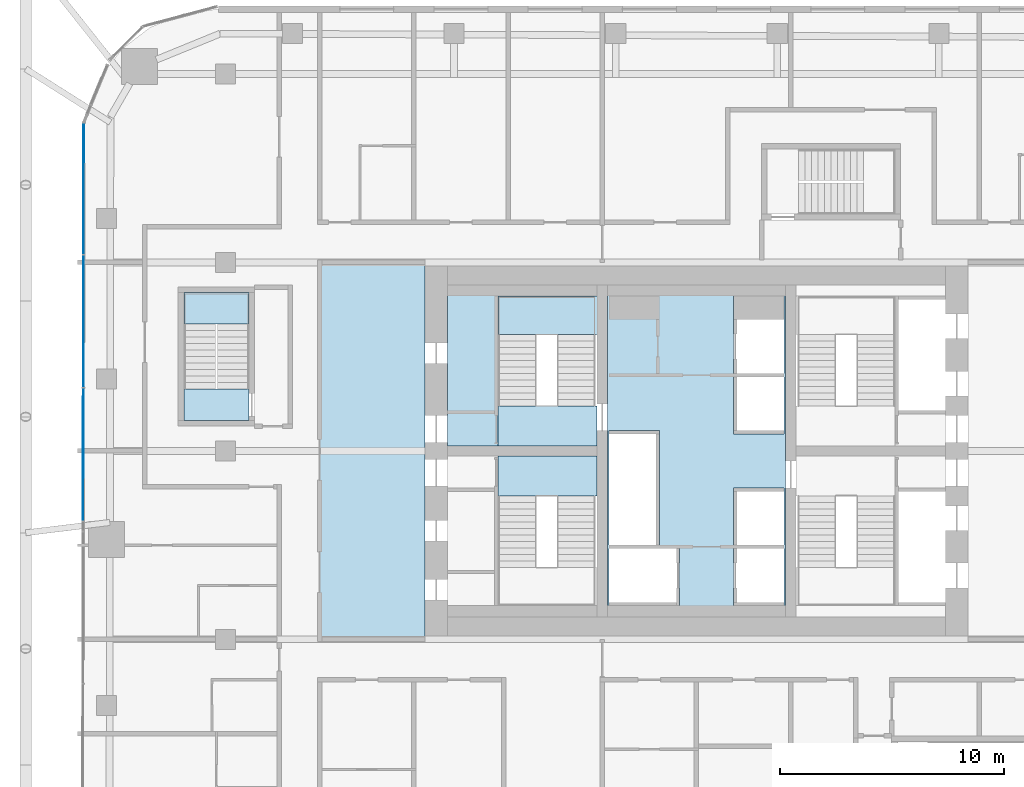
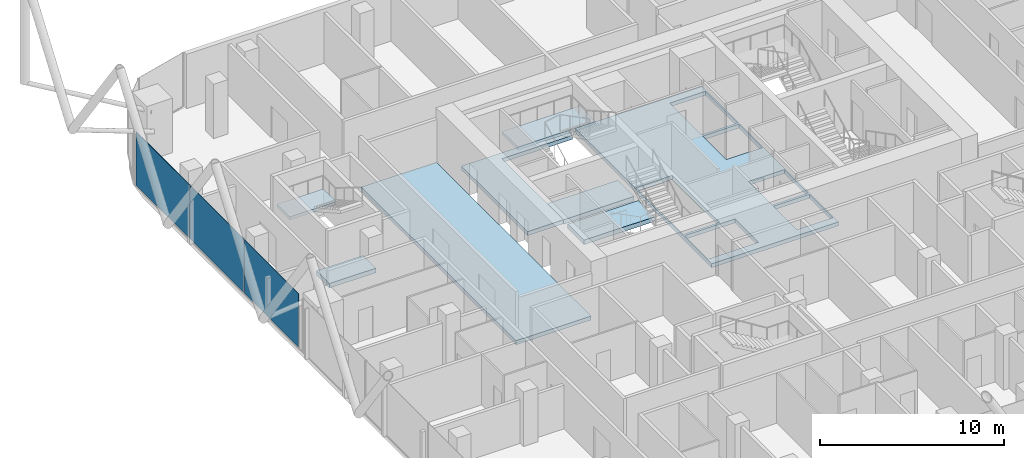
# One storey, part 24 of 36: 8 slabs, 3 plates, 3 elements without a shape of their own.
"""IFC4 building model written with IfcOpenShell, lengths in metres."""

from ifc_helpers import new_model, si_unit, direction, frame, origin, origin_2d, place, context, subcontext, project, spatial, polyline, rectangle, outline, extrude, material, layer, layer_set, type_object, element, aggregate, save


model = new_model("IFC4")

# Units and contexts
model_context = context("Model", 3, precision=1e-05, world=origin(), true_north=direction((0.0, 1.0)))
body_context = subcontext(model_context, "Body", "Model", "MODEL_VIEW")
ifc_project = project(units=[si_unit("LENGTHUNIT", "METRE"), si_unit("AREAUNIT", "SQUARE_METRE"), si_unit("VOLUMEUNIT", "CUBIC_METRE"), si_unit("PLANEANGLEUNIT", "RADIAN"), si_unit("MASSUNIT", "GRAM", prefix="KILO")], contexts=[model_context])

# Site, building, storey
site_placement = place(None, origin())
site = spatial("IfcSite", under=ifc_project, at=site_placement, CompositionType="ELEMENT")
building_placement = place(site_placement, origin())
building = spatial("IfcBuilding", under=site, at=building_placement, Name="Marenta Gate Hotel Tower", CompositionType="ELEMENT")
storey_placement = place(building_placement, frame((0.0, 0.0, 158.89990234375)))
storey = spatial("IfcBuildingStorey", under=building, at=storey_placement, Name="L37", CompositionType="ELEMENT", Elevation=158.89990234375)

# Slabs
ifc_material_1 = material(Name="Concrete C40", Category="concrete")
ifc_layer_1 = layer(ifc_material_1, 0.260009765625)
ifc_layer_set_1 = layer_set([ifc_layer_1], Name="Concrete C40")
slab_type_1 = type_object("IfcSlabType", Name="Core floor slab 260", PredefinedType="FLOOR", material=ifc_layer_set_1)
slab_1_placement = place(storey_placement, frame((0.0, 0.0, -0.260009765625)))
element("IfcSlab", 1, at=slab_1_placement, inside=storey, type_object=slab_type_1, Name="L37-CF-4", PredefinedType="FLOOR", context=body_context, shape_type="SweptSolid", body=[
    extrude(outline(polyline([(3.97509765625, 15.300048828125), (3.97509765625, 10.39990234375), (3.97509765625, 6.39990234375), (3.97509765625, 1.5), (3.97509765625, 1.0), (-3.97509765625, 1.0), (-3.97509765625, 1.5), (-3.97509765625, 6.39990234375), (-3.97509765625, 10.39990234375), (-3.97509765625, 15.300048828125), (-3.97509765625, 15.800048828125), (3.97509765625, 15.800048828125), (3.97509765625, 15.300048828125)]), holes=[polyline([(1.64990234375, 1.5), (3.89990234375, 1.5), (3.89990234375, 1.64990234375), (3.89990234375, 4.050048828125), (1.800048828125, 4.050048828125), (1.64990234375, 4.050048828125), (1.64990234375, 1.64990234375), (1.64990234375, 1.5)]), polyline([(1.64990234375, 6.60009765625), (1.64990234375, 4.199951171875), (1.800048828125, 4.199951171875), (3.89990234375, 4.199951171875), (3.89990234375, 6.60009765625), (3.89990234375, 6.75), (1.64990234375, 6.75), (1.64990234375, 6.60009765625)]), polyline([(1.64990234375, 9.14990234375), (3.89990234375, 9.14990234375), (3.89990234375, 9.300048828125), (3.89990234375, 11.699951171875), (1.800048828125, 11.699951171875), (1.64990234375, 11.699951171875), (1.64990234375, 9.300048828125), (1.64990234375, 9.14990234375)]), polyline([(1.64990234375, 15.300048828125), (1.64990234375, 14.25), (1.64990234375, 11.85009765625), (1.800048828125, 11.85009765625), (3.89990234375, 11.85009765625), (3.89990234375, 14.25), (3.89990234375, 15.300048828125), (1.64990234375, 15.300048828125)]), polyline([(-3.89990234375, 4.050048828125), (-3.89990234375, 1.64990234375), (-3.89990234375, 1.5), (-0.89990234375, 1.5), (-0.75, 1.5), (-0.75, 4.050048828125), (-0.89990234375, 4.050048828125), (-3.89990234375, 4.050048828125)]), polyline([(-1.800048828125, 4.199951171875), (-1.64990234375, 4.199951171875), (-1.64990234375, 9.14990234375), (-1.64990234375, 9.300048828125), (-3.89990234375, 9.300048828125), (-3.89990234375, 9.14990234375), (-3.89990234375, 6.75), (-3.89990234375, 6.60009765625), (-3.89990234375, 4.199951171875), (-1.800048828125, 4.199951171875)])]), origin(), (0.0, 0.0, 1.0), 0.260009765625),
])
slab_2_placement = place(storey_placement, frame((0.0, 0.0, -0.260009765625)))
element("IfcSlab", 2, at=slab_2_placement, inside=storey, type_object=slab_type_1, Name="L37-CF-6", PredefinedType="FLOOR", context=body_context, shape_type="SweptSolid", body=[
    extrude(outline(polyline([(-4.425048828125, 15.300048828125), (-8.85009765625, 15.300048828125), (-8.85009765625, 10.39990234375), (-8.85009765625, 8.699951171875), (-8.85009765625, 8.625), (-11.10009765625, 8.625), (-11.10009765625, 15.800048828125), (-4.425048828125, 15.800048828125), (-4.425048828125, 15.300048828125)])), origin(), (0.0, 0.0, 1.0), 0.260009765625),
])
slab_3_placement = place(storey_placement, frame((0.0, 0.0, -0.260009765625)))
element("IfcSlab", 3, at=slab_3_placement, inside=storey, type_object=slab_type_1, Name="L37-CF-7", PredefinedType="FLOOR", context=body_context, shape_type="SweptSolid", body=[
    extrude(outline(polyline([(-12.10009765625, 16.800048828125), (-12.10009765625, 0.0), (-16.800048828125, 0.0), (-16.800048828125, 16.800048828125), (-12.10009765625, 16.800048828125)])), origin(), (0.0, 0.0, 1.0), 0.260009765625),
])

# Stair, slab
ifc_material_2 = material(Name="Concrete C40", Category="concrete")
stair_type_1 = type_object("IfcStairType", Name="Core exit stair 1700 wide", PredefinedType="HALF_TURN_STAIR", material=ifc_material_2)
stair_1_placement = place(storey_placement, origin())
stair_1 = element("IfcStair", 4, at=stair_1_placement, inside=storey, type_object=stair_type_1, Name="Exit stair 2", PredefinedType="HALF_TURN_STAIR")
ifc_material_3 = material(Name="Concrete C40", Category="concrete")
ifc_layer_2 = layer(ifc_material_3, 0.199951171875)
ifc_layer_set_2 = layer_set([ifc_layer_2], Name="Concrete C40")
slab_type_2 = type_object("IfcSlabType", Name="Core stair landing 200", PredefinedType="LANDING", material=ifc_layer_set_2)
slab_4_placement = place(storey_placement, frame((0.0, 0.0, 1.60009765625)))
slab_4 = element("IfcSlab", 5, at=slab_4_placement, type_object=slab_type_2, Name="SL-200 ST2 landing 1", PredefinedType="LANDING", context=body_context, shape_type="SweptSolid", body=[
    extrude(outline(polyline([(-8.85009765625, 13.590087890625), (-3.97509765625, 13.590087890625), (-3.97509765625, 15.300048828125), (-8.85009765625, 15.300048828125), (-8.85009765625, 13.590087890625)])), origin(), (0.0, 0.0, 1.0), 0.199951171875),
])
aggregate(stair_1, [slab_4])

# Curtain wall, plates
ifc_material_4 = material(Name="Tinted insulated glass in bronze anodised frame", Category="glass")
ifc_layer_3 = layer(ifc_material_4, 0.1201171875)
ifc_layer_set_3 = layer_set([ifc_layer_3], Name="Tinted insulated glass in bronze anodised frame")
curtain_wall_type = type_object("IfcCurtainWallType", Name="Tower unitised curtain wall CW1", PredefinedType="NOTDEFINED", material=ifc_layer_set_3)
curtain_wall_placement = place(storey_placement, origin())
curtain_wall = element("IfcCurtainWall", 6, at=curtain_wall_placement, inside=storey, type_object=curtain_wall_type, Name="CW1 run G06", PredefinedType="NOTDEFINED")
ifc_material_5 = material(Name="Tinted insulated glass", Category="glass")
ifc_layer_4 = layer(ifc_material_5, 0.028076171875)
ifc_layer_set_4 = layer_set([ifc_layer_4], Name="Tinted insulated glass")
plate_type = type_object("IfcPlateType", Name="Glass panel CW1 28 mm tinted insulated unit", PredefinedType="CURTAIN_PANEL", material=ifc_layer_set_4)
plate_1_placement = place(storey_placement, frame((-27.31689453125, 20.0888671875, 0.06005859375), z_axis=(0.0, 0.0, 1.0), x_axis=(-0.001569680138, -0.999998768051, 0.0)))
plate_1 = element("IfcPlate", 7, at=plate_1_placement, type_object=plate_type, Name="CW1 panel 1.1", PredefinedType="CURTAIN_PANEL", context=body_context, shape_type="SweptSolid", body=[
    extrude(rectangle(XDim=5.834716796875, YDim=0.028076171875, at=origin_2d()), origin(), (0.0, 0.0, 1.0), 3.5400390625),
])
plate_2_placement = place(storey_placement, frame((-27.326171875, 14.178955078125, 0.06005859375), z_axis=(0.0, 0.0, 1.0), x_axis=(-0.001569680138, -0.999998768051, 0.0)))
plate_2 = element("IfcPlate", 8, at=plate_2_placement, type_object=plate_type, Name="CW1 panel 2.1", PredefinedType="CURTAIN_PANEL", context=body_context, shape_type="SweptSolid", body=[
    extrude(rectangle(XDim=5.86474609375, YDim=0.028076171875, at=origin_2d()), origin(), (0.0, 0.0, 1.0), 3.5400390625),
])
plate_3_placement = place(storey_placement, frame((-27.335693359375, 8.2392578125, 0.06005859375), z_axis=(0.0, 0.0, 1.0), x_axis=(-0.001569680138, -0.999998768051, 0.0)))
plate_3 = element("IfcPlate", 9, at=plate_3_placement, type_object=plate_type, Name="CW1 panel 3.1", PredefinedType="CURTAIN_PANEL", context=body_context, shape_type="SweptSolid", body=[
    extrude(rectangle(XDim=5.894775390625, YDim=0.028076171875, at=origin_2d()), origin(), (0.0, 0.0, 1.0), 3.5400390625),
])
aggregate(curtain_wall, [plate_1, plate_2, plate_3])

# Stair, slab
ifc_material_6 = material(Name="Concrete C40", Category="concrete")
stair_type_2 = type_object("IfcStairType", Name="Remote exit stair 1400 wide", PredefinedType="HALF_TURN_STAIR", material=ifc_material_6)
stair_2_placement = place(storey_placement, origin())
stair_2 = element("IfcStair", 10, at=stair_2_placement, inside=storey, type_object=stair_type_2, Name="Exit stair RS-Z1-3", PredefinedType="HALF_TURN_STAIR")
ifc_material_7 = material(Name="Concrete C40", Category="concrete")
ifc_layer_5 = layer(ifc_material_7, 0.199951171875)
ifc_layer_set_5 = layer_set([ifc_layer_5], Name="Concrete C40")
slab_type_3 = type_object("IfcSlabType", Name="Remote stair landing 200", PredefinedType="LANDING", material=ifc_layer_set_5)
slab_5_placement = place(storey_placement, frame((0.0, 0.0, 1.60009765625)))
slab_5 = element("IfcSlab", 11, at=slab_5_placement, type_object=slab_type_3, Name="RL-200 RS-Z1-3 landing 1", PredefinedType="LANDING", context=body_context, shape_type="SweptSolid", body=[
    extrude(outline(polyline([(-22.85009765625, 14.050048828125), (-19.949951171875, 14.050048828125), (-19.949951171875, 15.449951171875), (-22.85009765625, 15.449951171875), (-22.85009765625, 14.050048828125)])), origin(), (0.0, 0.0, 1.0), 0.199951171875),
])
aggregate(stair_2, [slab_5])

# Slabs
ifc_material_8 = material(Name="Concrete C40", Category="concrete")
ifc_layer_6 = layer(ifc_material_8, 0.300048828125)
ifc_layer_set_6 = layer_set([ifc_layer_6], Name="Concrete C40")
slab_type_4 = type_object("IfcSlabType", Name="Stair floor landing slab 300", PredefinedType="FLOOR", material=ifc_layer_set_6)
slab_6_placement = place(storey_placement, frame((0.0, 0.0, -0.2998046875)))
element("IfcSlab", 12, at=slab_6_placement, inside=storey, type_object=slab_type_4, Name="L37-CL-ST1-1", PredefinedType="FLOOR", context=body_context, shape_type="SweptSolid", body=[
    extrude(outline(polyline([(-4.425048828125, 6.39990234375), (-8.85009765625, 6.39990234375), (-8.85009765625, 8.10009765625), (-8.85009765625, 8.175048828125), (-4.425048828125, 8.175048828125), (-4.425048828125, 6.39990234375)])), origin(), (0.0, 0.0, 1.0), 0.2998046875),
])
slab_7_placement = place(storey_placement, frame((0.0, 0.0, -0.2998046875)))
element("IfcSlab", 13, at=slab_7_placement, inside=storey, type_object=slab_type_4, Name="L37-CL-ST2-1", PredefinedType="FLOOR", context=body_context, shape_type="SweptSolid", body=[
    extrude(outline(polyline([(-4.425048828125, 8.625), (-8.85009765625, 8.625), (-8.85009765625, 8.699951171875), (-8.85009765625, 10.39990234375), (-4.425048828125, 10.39990234375), (-4.425048828125, 8.625)])), origin(), (0.0, 0.0, 1.0), 0.2998046875),
])
slab_8_placement = place(storey_placement, frame((0.0, 0.0, -0.2998046875)))
element("IfcSlab", 14, at=slab_8_placement, inside=storey, type_object=slab_type_4, Name="L37-RS-Z1-3-CL", PredefinedType="FLOOR", context=body_context, shape_type="SweptSolid", body=[
    extrude(outline(polyline([(-19.949951171875, 9.75), (-19.949951171875, 11.14990234375), (-22.85009765625, 11.14990234375), (-22.85009765625, 9.75), (-19.949951171875, 9.75)])), origin(), (0.0, 0.0, 1.0), 0.2998046875),
])

save(model, "model.ifc")
